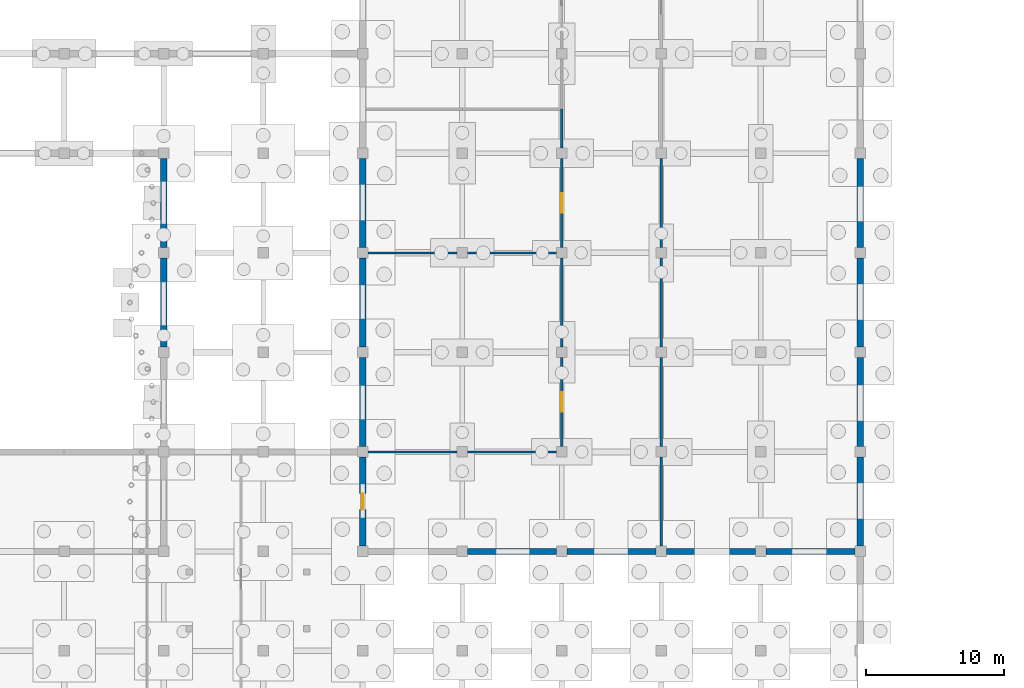
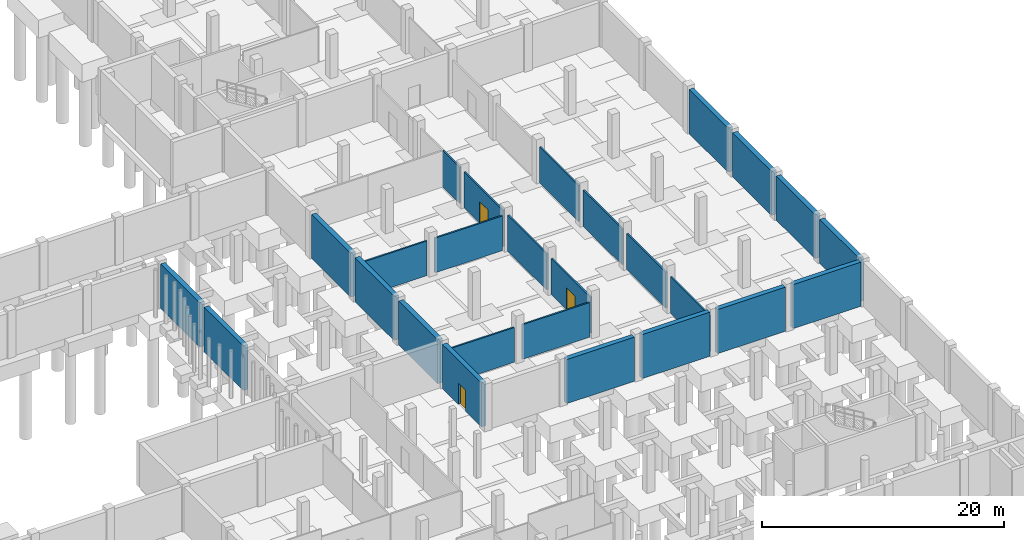
# One storey, part 26 of 35: 26 walls, 3 doors, 3 openings.
"""IFC4 building model written with IfcOpenShell, lengths in metres."""

from ifc_helpers import new_model, si_unit, direction, frame, frame_2d, origin, place, context, subcontext, project, spatial, rectangle, extrude, material, layer, layer_set, type_object, element, fill, save


model = new_model("IFC4")

# Units and contexts
model_context = context("Model", 3, precision=1e-05, world=origin(), true_north=direction((0.0, 1.0)))
body_context = subcontext(model_context, "Body", "Model", "MODEL_VIEW")
ifc_project = project(units=[si_unit("LENGTHUNIT", "METRE"), si_unit("AREAUNIT", "SQUARE_METRE"), si_unit("VOLUMEUNIT", "CUBIC_METRE"), si_unit("PLANEANGLEUNIT", "RADIAN"), si_unit("MASSUNIT", "GRAM", prefix="KILO"), si_unit("THERMODYNAMICTEMPERATUREUNIT", "KELVIN"), si_unit("POWERUNIT", "WATT")], contexts=[model_context])

# Site, building, storey
site_placement = place(None, origin())
site = spatial("IfcSite", under=ifc_project, at=site_placement, CompositionType="ELEMENT")
building_placement = place(site_placement, origin())
building = spatial("IfcBuilding", under=site, at=building_placement, Name="Kaldorven Railside Theatre", CompositionType="ELEMENT")
storey_placement = place(building_placement, frame((0.0, 0.0, -4.800048828125)))
storey = spatial("IfcBuildingStorey", under=building, at=storey_placement, Name="B1", CompositionType="ELEMENT", Elevation=-4.800048828125)

# Walls
ifc_material_1 = material(Name="Concrete C40/50", Category="concrete")
ifc_layer_1 = layer(ifc_material_1, 0.449951171875, Name="Concrete C40/50")
ifc_layer_set_1 = layer_set([ifc_layer_1], Name="Concrete C40/50")
wall_type_1 = type_object("IfcWallType", Name="WL-EW01", PredefinedType="SHEAR", material=ifc_layer_set_1)
wall_1_placement = place(storey_placement, frame((123.199951171875, 69.22509765625, 0.0), z_axis=(0.0, 0.0, 1.0), x_axis=(0.0, -1.0, 0.0)))
element("IfcWall", 1, at=wall_1_placement, inside=storey, type_object=wall_type_1, Name="Basement Plinth Retaining Wall EW-0066", PredefinedType="SHEAR", context=body_context, shape_type="SweptSolid", body=[
    extrude(rectangle(XDim=6.4501953125, YDim=0.449951171875, at=frame_2d((3.22509765625, 0.0))), origin(), (0.0, 0.0, 1.0), 4.449951171875),
])
for number, where, z_axis, x_axis, name in (
    (2, (123.199951171875, 62.02490234375, 0.0), (0.0, 0.0, 1.0), (0.0, -1.0, 0.0), "Basement Plinth Retaining Wall EW-0067"),
    (3, (123.199951171875, 54.824951171875, 0.0), (0.0, 0.0, 1.0), (0.0, -1.0, 0.0), "Basement Plinth Retaining Wall EW-0068"),
    (4, (123.199951171875, 47.625, 0.0), (0.0, 0.0, 1.0), (0.0, -1.0, 0.0), "Basement Plinth Retaining Wall EW-0069"),
):
    element("IfcWall", number, at=place(storey_placement, frame(where, z_axis=z_axis, x_axis=x_axis)), inside=storey, type_object=wall_type_1, Name=name, PredefinedType="SHEAR", context=body_context, shape_type="SweptSolid", body=[
        extrude(rectangle(XDim=6.449951171875, YDim=0.449951171875, at=frame_2d((3.22509765625, 0.0))), origin(), (0.0, 0.0, 1.0), 4.449951171875),
    ])
wall_2_placement = place(storey_placement, frame((72.800048828125, 55.574951171875, 0.0), z_axis=(0.0, 0.0, 1.0), x_axis=(0.0, 1.0, 0.0)))
element("IfcWall", 5, at=wall_2_placement, inside=storey, type_object=wall_type_1, Name="Basement Plinth Retaining Wall EW-0104", PredefinedType="SHEAR", context=body_context, shape_type="SweptSolid", body=[
    extrude(rectangle(XDim=6.449951171875, YDim=0.449951171875, at=frame_2d((3.22509765625, 0.0))), origin(), (0.0, 0.0, 1.0), 4.5),
])
wall_3_placement = place(storey_placement, frame((72.800048828125, 62.77490234375, 0.0), z_axis=(0.0, 0.0, 1.0), x_axis=(0.0, 1.0, 0.0)))
element("IfcWall", 6, at=wall_3_placement, inside=storey, type_object=wall_type_1, Name="Basement Plinth Retaining Wall EW-0105", PredefinedType="SHEAR", context=body_context, shape_type="SweptSolid", body=[
    extrude(rectangle(XDim=6.4501953125, YDim=0.449951171875, at=frame_2d((3.22509765625, 0.0))), origin(), (0.0, 0.0, 1.0), 4.5),
])
for number, where, z_axis, x_axis, name in (
    (7, (122.824951171875, 40.800048828125, 0.0), (0.0, 0.0, 1.0), (-1.0, 0.0, 0.0), "Basement Compartment Retaining Wall EW-0111"),
    (8, (115.625, 40.800048828125, 0.0), (0.0, 0.0, 1.0), (-1.0, 0.0, 0.0), "Basement Compartment Retaining Wall EW-0112"),
    (9, (108.425048828125, 40.800048828125, 0.0), (0.0, 0.0, 1.0), (-1.0, 0.0, 0.0), "Basement Compartment Retaining Wall EW-0113"),
):
    element("IfcWall", number, at=place(storey_placement, frame(where, z_axis=z_axis, x_axis=x_axis)), inside=storey, type_object=wall_type_1, Name=name, PredefinedType="SHEAR", context=body_context, shape_type="SweptSolid", body=[
        extrude(rectangle(XDim=6.449951171875, YDim=0.449951171875, at=frame_2d((3.22509765625, 0.0))), origin(), (0.0, 0.0, 1.0), 4.449951171875),
    ])
wall_4_placement = place(storey_placement, frame((101.22509765625, 40.800048828125, 0.0), z_axis=(0.0, 0.0, 1.0), x_axis=(-1.0, 0.0, 0.0)))
element("IfcWall", 10, at=wall_4_placement, inside=storey, type_object=wall_type_1, Name="Basement Compartment Retaining Wall EW-0114", PredefinedType="SHEAR", context=body_context, shape_type="SweptSolid", body=[
    extrude(rectangle(XDim=6.4501953125, YDim=0.449951171875, at=frame_2d((3.22509765625, 0.0))), origin(), (0.0, 0.0, 1.0), 4.449951171875),
])

# Wall, opening, door
wall_5_placement = place(storey_placement, frame((87.199951171875, 41.175048828125, 0.0), z_axis=(0.0, 0.0, 1.0), x_axis=(0.0, 1.0, 0.0)))
wall_5 = element("IfcWall", 11, at=wall_5_placement, inside=storey, type_object=wall_type_1, Name="Basement Compartment Retaining Wall EW-0116", PredefinedType="SHEAR", context=body_context, shape_type="SweptSolid", body=[
    extrude(rectangle(XDim=6.449951171875, YDim=0.449951171875, at=frame_2d((3.22509765625, 0.0))), origin(), (0.0, 0.0, 1.0), 4.449951171875),
])
opening_1_placement = place(wall_5_placement, frame((2.64990234375, 0.0, 0.0)))
opening_1 = element("IfcOpeningElement", 12, at=opening_1_placement, cuts=wall_5, Name="Opening ID-0079", PredefinedType="OPENING", context=body_context, shape_type="SweptSolid", body=[
    extrude(rectangle(XDim=1.14990234375, YDim=2.14990234375, at=frame_2d((0.574951171875, 1.074951171875))), frame((0.0, 0.23486328125, 0.0), z_axis=(0.0, -1.0, 0.0), x_axis=(1.0, 0.0, 0.0)), (0.0, 0.0, 1.0), 0.469970703125),
])
ifc_material_2 = material(Name="Powder-coated hollow-metal steel", Category="steel")
door_type_1 = type_object("IfcDoorType", Name="DR-ID-FD120", OperationType="NOTDEFINED", PredefinedType="DOOR", material=ifc_material_2)
door_1_placement = place(opening_1_placement, origin())
door_1 = element("IfcDoor", 13, at=door_1_placement, inside=storey, type_object=door_type_1, Name="B1 Foyer-to-Substage Fire Door", OperationType="SINGLE_SWING_LEFT", OverallHeight=2.14990234375, OverallWidth=1.14990234375, PredefinedType="DOOR", context=body_context, shape_type="SweptSolid", body=[
    extrude(rectangle(XDim=1.14990234375, YDim=2.14990234375, at=frame_2d((0.574951171875, 1.074951171875))), frame((0.0, 0.02490234375, 0.0), z_axis=(0.0, -1.0, 0.0), x_axis=(1.0, 0.0, 0.0)), (0.0, 0.0, 1.0), 0.050048828125),
])
fill(opening_1, door_1)

# Walls
for number, where, z_axis, x_axis, name in (
    (14, (87.199951171875, 48.375, 0.0), (0.0, 0.0, 1.0), (0.0, 1.0, 0.0), "Basement Compartment Retaining Wall EW-0117"),
    (15, (87.199951171875, 55.574951171875, 0.0), (0.0, 0.0, 1.0), (0.0, 1.0, 0.0), "Basement Compartment Retaining Wall EW-0118"),
):
    element("IfcWall", number, at=place(storey_placement, frame(where, z_axis=z_axis, x_axis=x_axis)), inside=storey, type_object=wall_type_1, Name=name, PredefinedType="SHEAR", context=body_context, shape_type="SweptSolid", body=[
        extrude(rectangle(XDim=6.449951171875, YDim=0.449951171875, at=frame_2d((3.22509765625, 0.0))), origin(), (0.0, 0.0, 1.0), 4.449951171875),
    ])
wall_6_placement = place(storey_placement, frame((87.199951171875, 62.77490234375, 0.0), z_axis=(0.0, 0.0, 1.0), x_axis=(0.0, 1.0, 0.0)))
element("IfcWall", 16, at=wall_6_placement, inside=storey, type_object=wall_type_1, Name="Basement Compartment Retaining Wall EW-0119", PredefinedType="SHEAR", context=body_context, shape_type="SweptSolid", body=[
    extrude(rectangle(XDim=6.4501953125, YDim=0.449951171875, at=frame_2d((3.22509765625, 0.0))), origin(), (0.0, 0.0, 1.0), 4.449951171875),
])

# Wall, opening, door
ifc_material_3 = material(Name="Acoustic gypsum board")
ifc_layer_2 = layer(ifc_material_3, 0.14990234375, Name="Acoustic gypsum board")
ifc_layer_set_2 = layer_set([ifc_layer_2], Name="Acoustic gypsum board")
wall_type_2 = type_object("IfcWallType", Name="WL-IW-AC1", PredefinedType="PARTITIONING", material=ifc_layer_set_2)
wall_7_placement = place(storey_placement, frame((101.60009765625, 48.375, 0.0), z_axis=(0.0, 0.0, 1.0), x_axis=(0.0, 1.0, 0.0)))
wall_7 = element("IfcWall", 17, at=wall_7_placement, inside=storey, type_object=wall_type_2, Name="B1 Interior Wall IW-0411", PredefinedType="PARTITIONING", context=body_context, shape_type="SweptSolid", body=[
    extrude(rectangle(XDim=6.449951171875, YDim=0.14990234375, at=frame_2d((3.22509765625, 0.0))), origin(), (0.0, 0.0, 1.0), 3.64501953125),
])
opening_2_placement = place(wall_7_placement, frame((2.52490234375, 0.0, 0.0)))
opening_2 = element("IfcOpeningElement", 18, at=opening_2_placement, cuts=wall_7, Name="Opening ID-0093", PredefinedType="OPENING", context=body_context, shape_type="SweptSolid", body=[
    extrude(rectangle(XDim=1.39990234375, YDim=2.199951171875, at=frame_2d((0.699951171875, 1.10009765625))), frame((0.0, 0.0849609375, 0.0), z_axis=(0.0, -1.0, 0.0), x_axis=(1.0, 0.0, 0.0)), (0.0, 0.0, 1.0), 0.169921875),
])
door_type_2 = type_object("IfcDoorType", Name="DR-ID-PLT1", OperationType="NOTDEFINED", PredefinedType="DOOR", material=ifc_material_2)
door_2_placement = place(opening_2_placement, origin())
door_2 = element("IfcDoor", 19, at=door_2_placement, inside=storey, type_object=door_type_2, Name="Rainwater Cistern Plant Entry Door", OperationType="SINGLE_SWING_RIGHT", OverallHeight=2.199951171875, OverallWidth=1.39990234375, PredefinedType="DOOR", context=body_context, shape_type="SweptSolid", body=[
    extrude(rectangle(XDim=1.39990234375, YDim=2.199951171875, at=frame_2d((0.699951171875, 1.10009765625))), frame((0.0, 0.02490234375, 0.0), z_axis=(0.0, -1.0, 0.0), x_axis=(1.0, 0.0, 0.0)), (0.0, 0.0, 1.0), 0.050048828125),
])
fill(opening_2, door_2)

# Walls
wall_8_placement = place(storey_placement, frame((101.60009765625, 55.574951171875, 0.0), z_axis=(0.0, 0.0, 1.0), x_axis=(0.0, 1.0, 0.0)))
element("IfcWall", 20, at=wall_8_placement, inside=storey, type_object=wall_type_2, Name="B1 Interior Wall IW-0412", PredefinedType="PARTITIONING", context=body_context, shape_type="SweptSolid", body=[
    extrude(rectangle(XDim=6.449951171875, YDim=0.14990234375, at=frame_2d((3.22509765625, 0.0))), origin(), (0.0, 0.0, 1.0), 3.64501953125),
])
wall_9_placement = place(storey_placement, frame((101.22509765625, 62.39990234375, 0.0), z_axis=(0.0, 0.0, 1.0), x_axis=(-1.0, 0.0, 0.0)))
element("IfcWall", 21, at=wall_9_placement, inside=storey, type_object=wall_type_2, Name="B1 Interior Wall IW-0413", PredefinedType="PARTITIONING", context=body_context, shape_type="SweptSolid", body=[
    extrude(rectangle(XDim=6.4501953125, YDim=0.14990234375, at=frame_2d((3.22509765625, 0.0))), origin(), (0.0, 0.0, 1.0), 3.4951171875),
])
for number, where, z_axis, x_axis, name in (
    (22, (94.02490234375, 62.39990234375, 0.0), (0.0, 0.0, 1.0), (-1.0, 0.0, 0.0), "B1 Interior Wall IW-0414"),
    (23, (87.574951171875, 48.0, 0.0), (0.0, 0.0, 1.0), (1.0, 0.0, 0.0), "B1 Interior Wall IW-0415"),
):
    element("IfcWall", number, at=place(storey_placement, frame(where, z_axis=z_axis, x_axis=x_axis)), inside=storey, type_object=wall_type_2, Name=name, PredefinedType="PARTITIONING", context=body_context, shape_type="SweptSolid", body=[
        extrude(rectangle(XDim=6.449951171875, YDim=0.14990234375, at=frame_2d((3.22509765625, 0.0))), origin(), (0.0, 0.0, 1.0), 3.4951171875),
    ])
wall_10_placement = place(storey_placement, frame((94.77490234375, 48.0, 0.0), z_axis=(0.0, 0.0, 1.0), x_axis=(1.0, 0.0, 0.0)))
element("IfcWall", 24, at=wall_10_placement, inside=storey, type_object=wall_type_2, Name="B1 Interior Wall IW-0416", PredefinedType="PARTITIONING", context=body_context, shape_type="SweptSolid", body=[
    extrude(rectangle(XDim=6.4501953125, YDim=0.14990234375, at=frame_2d((3.22509765625, 0.0))), origin(), (0.0, 0.0, 1.0), 3.4951171875),
])

# Wall, opening, door
wall_11_placement = place(storey_placement, frame((101.60009765625, 62.77490234375, 0.0), z_axis=(0.0, 0.0, 1.0), x_axis=(0.0, 1.0, 0.0)))
wall_11 = element("IfcWall", 25, at=wall_11_placement, inside=storey, type_object=wall_type_2, Name="B1 Interior Wall IW-0417", PredefinedType="PARTITIONING", context=body_context, shape_type="SweptSolid", body=[
    extrude(rectangle(XDim=6.4501953125, YDim=0.14990234375, at=frame_2d((3.22509765625, 0.0))), origin(), (0.0, 0.0, 1.0), 3.64501953125),
])
opening_3_placement = place(wall_11_placement, frame((2.52490234375, 0.0, 0.0)))
opening_3 = element("IfcOpeningElement", 26, at=opening_3_placement, cuts=wall_11, Name="Opening ID-0094", PredefinedType="OPENING", context=body_context, shape_type="SweptSolid", body=[
    extrude(rectangle(XDim=1.39990234375, YDim=2.199951171875, at=frame_2d((0.699951171875, 1.10009765625))), frame((0.0, 0.0849609375, 0.0), z_axis=(0.0, -1.0, 0.0), x_axis=(1.0, 0.0, 0.0)), (0.0, 0.0, 1.0), 0.169921875),
])
door_3_placement = place(opening_3_placement, origin())
door_3 = element("IfcDoor", 27, at=door_3_placement, inside=storey, type_object=door_type_2, Name="Electrical Switchroom Entry Door", OperationType="SINGLE_SWING_LEFT", OverallHeight=2.199951171875, OverallWidth=1.39990234375, PredefinedType="DOOR", context=body_context, shape_type="SweptSolid", body=[
    extrude(rectangle(XDim=1.39990234375, YDim=2.199951171875, at=frame_2d((0.699951171875, 1.10009765625))), frame((0.0, 0.02490234375, 0.0), z_axis=(0.0, -1.0, 0.0), x_axis=(1.0, 0.0, 0.0)), (0.0, 0.0, 1.0), 0.050048828125),
])
fill(opening_3, door_3)

# Walls
wall_12_placement = place(storey_placement, frame((101.60009765625, 69.97509765625, 0.0), z_axis=(0.0, 0.0, 1.0), x_axis=(0.0, 1.0, 0.0)))
element("IfcWall", 28, at=wall_12_placement, inside=storey, type_object=wall_type_2, Name="B1 Interior Wall IW-0418", PredefinedType="PARTITIONING", context=body_context, shape_type="SweptSolid", body=[
    extrude(rectangle(XDim=2.824951171875, YDim=0.14990234375, at=frame_2d((1.41259765625, 0.0))), origin(), (0.0, 0.0, 1.0), 3.64501953125),
])
wall_13_placement = place(storey_placement, frame((108.800048828125, 69.22509765625, 0.0), z_axis=(0.0, 0.0, 1.0), x_axis=(0.0, -1.0, 0.0)))
element("IfcWall", 29, at=wall_13_placement, inside=storey, type_object=wall_type_2, Name="B1 Interior Wall IW-0421", PredefinedType="PARTITIONING", context=body_context, shape_type="SweptSolid", body=[
    extrude(rectangle(XDim=6.4501953125, YDim=0.14990234375, at=frame_2d((3.22509765625, 0.0))), origin(), (0.0, 0.0, 1.0), 3.64501953125),
])
for number, where, z_axis, x_axis, name in (
    (30, (108.800048828125, 62.02490234375, 0.0), (0.0, 0.0, 1.0), (0.0, -1.0, 0.0), "B1 Interior Wall IW-0422"),
    (31, (108.800048828125, 54.824951171875, 0.0), (0.0, 0.0, 1.0), (0.0, -1.0, 0.0), "B1 Interior Wall IW-0423"),
    (32, (108.800048828125, 47.625, 0.0), (0.0, 0.0, 1.0), (0.0, -1.0, 0.0), "B1 Interior Wall IW-0424"),
):
    element("IfcWall", number, at=place(storey_placement, frame(where, z_axis=z_axis, x_axis=x_axis)), inside=storey, type_object=wall_type_2, Name=name, PredefinedType="PARTITIONING", context=body_context, shape_type="SweptSolid", body=[
        extrude(rectangle(XDim=6.449951171875, YDim=0.14990234375, at=frame_2d((3.22509765625, 0.0))), origin(), (0.0, 0.0, 1.0), 3.64501953125),
    ])

save(model, "model.ifc")
